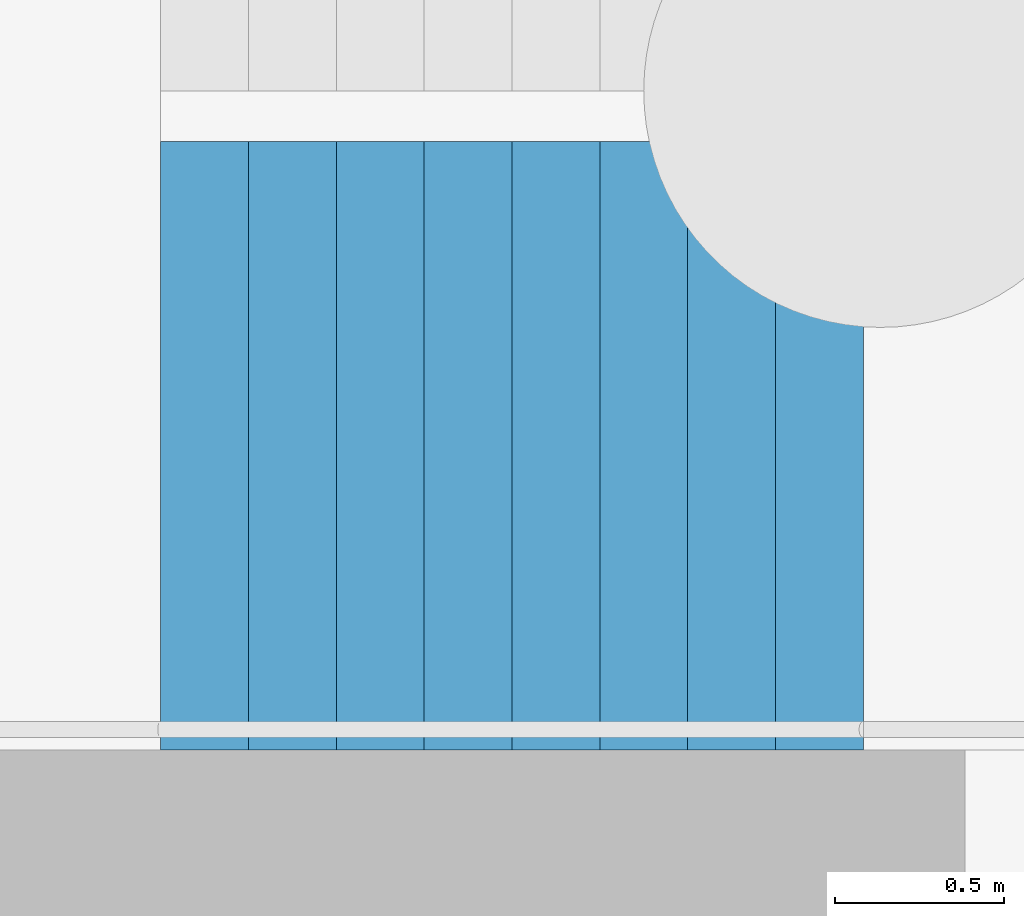
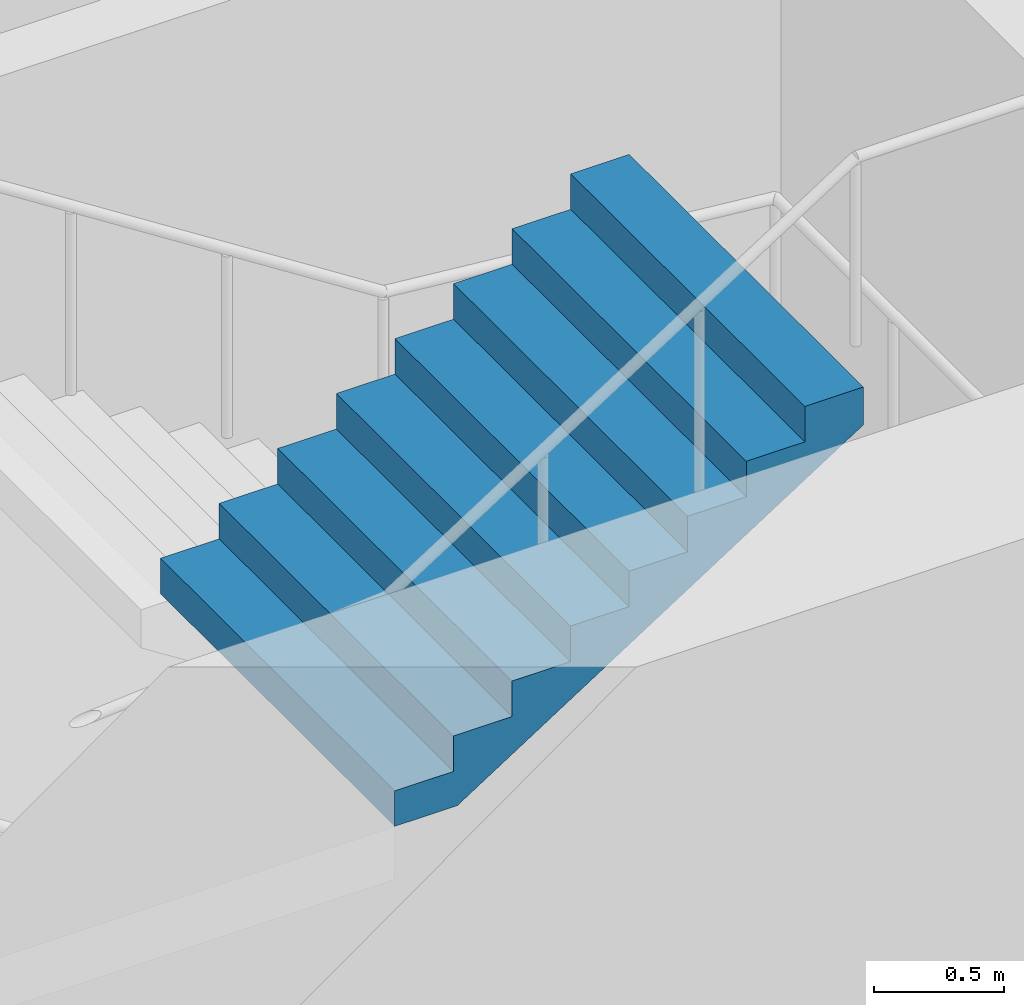
# One storey, part 54 of 113: 1 stair flight, 1 element without a shape of its own.
"""IFC4 building model written with IfcOpenShell, lengths in metres."""

from ifc_helpers import new_model, si_unit, direction, frame, origin, place, context, subcontext, project, spatial, triangles, material, type_object, element, aggregate, save


model = new_model("IFC4")

# Units and contexts
model_context = context("Model", 3, precision=1e-05, world=origin(), true_north=direction((0.0, 1.0)))
body_context = subcontext(model_context, "Body", "Model", "MODEL_VIEW")
ifc_project = project(units=[si_unit("LENGTHUNIT", "METRE"), si_unit("AREAUNIT", "SQUARE_METRE"), si_unit("VOLUMEUNIT", "CUBIC_METRE"), si_unit("PLANEANGLEUNIT", "RADIAN"), si_unit("MASSUNIT", "GRAM", prefix="KILO")], contexts=[model_context])

# Site, building, storey
site_placement = place(None, origin())
site = spatial("IfcSite", under=ifc_project, at=site_placement, CompositionType="ELEMENT")
building_placement = place(site_placement, origin())
building = spatial("IfcBuilding", under=site, at=building_placement, Name="Hakoniwa Tower and Hamabe Station Hall", CompositionType="ELEMENT")
storey_placement = place(building_placement, origin())
storey = spatial("IfcBuildingStorey", under=building, at=storey_placement, Name="L01", CompositionType="ELEMENT", Elevation=0.0)

# Stair, stair flight
ifc_material_1 = material(Name="Concrete C40", Category="concrete")
stair_type = type_object("IfcStairType", Name="ESCAPE STAIR 1800", PredefinedType="HALF_TURN_STAIR", material=ifc_material_1)
stair_placement = place(storey_placement, origin())
stair = element("IfcStair", 1, at=stair_placement, inside=storey, type_object=stair_type, Name="Escape stair ST-2 L01", PredefinedType="HALF_TURN_STAIR")
ifc_material_2 = material(Name="Concrete C40", Category="concrete")
stair_flight_type = type_object("IfcStairFlightType", Name="STAIR FLIGHT 1800", PredefinedType="STRAIGHT", material=ifc_material_2)
stair_flight_placement = place(storey_placement, frame((-25.47998046875, -6.60009765625, 7.5), z_axis=(0.0, 0.0, 1.0), x_axis=(1.0, 0.0, 0.0)))
stair_flight = element("IfcStairFlight", 2, at=stair_flight_placement, type_object=stair_flight_type, Name="ST-2 flight 6", NumberOfRisers=9, NumberOfTreads=8, PredefinedType="STRAIGHT", RiserHeight=0.166666667, TreadLength=0.26, context=body_context, shape_type="Tessellation", body=[
    triangles([(0.0, 0.89990234375, 0.0), (0.260009765625, 0.89990234375, 0.0), (0.27783203125, 0.89990234375, 0.0), (0.52001953125, 0.89990234375, 0.1552734375), (0.780029296875, 0.89990234375, 0.322021484375), (1.0400390625, 0.89990234375, 0.488525390625), (1.300048828125, 0.89990234375, 0.6552734375), (1.56005859375, 0.89990234375, 0.822021484375), (1.820068359375, 0.89990234375, 0.988525390625), (2.080078125, 0.89990234375, 1.1552734375), (2.080078125, 0.89990234375, 1.333251953125), (1.820068359375, 0.89990234375, 1.333251953125), (1.820068359375, 0.89990234375, 1.166748046875), (1.56005859375, 0.89990234375, 1.166748046875), (1.56005859375, 0.89990234375, 1.0), (1.300048828125, 0.89990234375, 1.0), (1.300048828125, 0.89990234375, 0.833251953125), (1.0400390625, 0.89990234375, 0.833251953125), (1.0400390625, 0.89990234375, 0.666748046875), (0.780029296875, 0.89990234375, 0.666748046875), (0.780029296875, 0.89990234375, 0.5), (0.52001953125, 0.89990234375, 0.5), (0.52001953125, 0.89990234375, 0.333251953125), (0.27783203125, 0.89990234375, 0.333251953125), (0.260009765625, 0.89990234375, 0.333251953125), (0.260009765625, 0.89990234375, 0.166748046875), (0.0, 0.89990234375, 0.166748046875), (0.0, 0.06005859375, 0.0), (0.260009765625, 0.06005859375, 0.0), (0.27783203125, 0.06005859375, 0.0), (0.52001953125, 0.06005859375, 0.1552734375), (0.780029296875, 0.06005859375, 0.322021484375), (1.0400390625, 0.06005859375, 0.488525390625), (1.300048828125, 0.06005859375, 0.6552734375), (1.56005859375, 0.06005859375, 0.822021484375), (1.820068359375, 0.06005859375, 0.988525390625), (2.080078125, 0.06005859375, 1.1552734375), (2.080078125, 0.06005859375, 1.333251953125), (1.820068359375, 0.06005859375, 1.333251953125), (1.820068359375, 0.06005859375, 1.166748046875), (1.56005859375, 0.06005859375, 1.166748046875), (1.56005859375, 0.06005859375, 1.0), (1.300048828125, 0.06005859375, 1.0), (1.300048828125, 0.06005859375, 0.833251953125), (1.0400390625, 0.06005859375, 0.833251953125), (1.0400390625, 0.06005859375, 0.666748046875), (0.780029296875, 0.06005859375, 0.666748046875), (0.780029296875, 0.06005859375, 0.5), (0.52001953125, 0.06005859375, 0.5), (0.52001953125, 0.06005859375, 0.333251953125), (0.27783203125, 0.06005859375, 0.333251953125), (0.260009765625, 0.06005859375, 0.333251953125), (0.260009765625, 0.06005859375, 0.166748046875), (0.0, 0.06005859375, 0.166748046875), (0.0, 0.04296875, 0.0), (0.260009765625, 0.04296875, 0.0), (0.27783203125, 0.04296875, 0.0), (0.52001953125, 0.04296875, 0.1552734375), (0.780029296875, 0.04296875, 0.322021484375), (1.0400390625, 0.04296875, 0.488525390625), (1.300048828125, 0.04296875, 0.6552734375), (1.56005859375, 0.04296875, 0.822021484375), (1.820068359375, 0.04296875, 0.988525390625), (2.080078125, 0.04296875, 1.1552734375), (2.080078125, 0.04296875, 1.333251953125), (1.820068359375, 0.04296875, 1.333251953125), (1.820068359375, 0.04296875, 1.166748046875), (1.56005859375, 0.04296875, 1.166748046875), (1.56005859375, 0.04296875, 1.0), (1.300048828125, 0.04296875, 1.0), (1.300048828125, 0.04296875, 0.833251953125), (1.0400390625, 0.04296875, 0.833251953125), (1.0400390625, 0.04296875, 0.666748046875), (0.780029296875, 0.04296875, 0.666748046875), (0.780029296875, 0.04296875, 0.5), (0.52001953125, 0.04296875, 0.5), (0.52001953125, 0.04296875, 0.333251953125), (0.27783203125, 0.04296875, 0.333251953125), (0.260009765625, 0.04296875, 0.333251953125), (0.260009765625, 0.04296875, 0.166748046875), (0.0, 0.04296875, 0.166748046875), (0.0, 0.025634765625, 0.0), (0.260009765625, 0.025634765625, 0.0), (0.27783203125, 0.025634765625, 0.0), (0.52001953125, 0.025634765625, 0.1552734375), (0.780029296875, 0.025634765625, 0.322021484375), (1.0400390625, 0.025634765625, 0.488525390625), (1.300048828125, 0.025634765625, 0.6552734375), (1.56005859375, 0.025634765625, 0.822021484375), (1.820068359375, 0.025634765625, 0.988525390625), (2.080078125, 0.025634765625, 1.1552734375), (2.080078125, 0.025634765625, 1.333251953125), (1.820068359375, 0.025634765625, 1.333251953125), (1.820068359375, 0.025634765625, 1.166748046875), (1.56005859375, 0.025634765625, 1.166748046875), (1.56005859375, 0.025634765625, 1.0), (1.300048828125, 0.025634765625, 1.0), (1.300048828125, 0.025634765625, 0.833251953125), (1.0400390625, 0.025634765625, 0.833251953125), (1.0400390625, 0.025634765625, 0.666748046875), (0.780029296875, 0.025634765625, 0.666748046875), (0.780029296875, 0.025634765625, 0.5), (0.52001953125, 0.025634765625, 0.5), (0.52001953125, 0.025634765625, 0.333251953125), (0.27783203125, 0.025634765625, 0.333251953125), (0.260009765625, 0.025634765625, 0.333251953125), (0.260009765625, 0.025634765625, 0.166748046875), (0.0, 0.025634765625, 0.166748046875), (0.0, 0.008544921875, 0.0), (0.260009765625, 0.008544921875, 0.0), (0.27783203125, 0.008544921875, 0.0), (0.52001953125, 0.008544921875, 0.1552734375), (0.780029296875, 0.008544921875, 0.322021484375), (1.0400390625, 0.008544921875, 0.488525390625), (1.300048828125, 0.008544921875, 0.6552734375), (1.56005859375, 0.008544921875, 0.822021484375), (1.820068359375, 0.008544921875, 0.988525390625), (2.080078125, 0.008544921875, 1.1552734375), (2.080078125, 0.008544921875, 1.333251953125), (1.820068359375, 0.008544921875, 1.333251953125), (1.820068359375, 0.008544921875, 1.166748046875), (1.56005859375, 0.008544921875, 1.166748046875), (1.56005859375, 0.008544921875, 1.0), (1.300048828125, 0.008544921875, 1.0), (1.300048828125, 0.008544921875, 0.833251953125), (1.0400390625, 0.008544921875, 0.833251953125), (1.0400390625, 0.008544921875, 0.666748046875), (0.780029296875, 0.008544921875, 0.666748046875), (0.780029296875, 0.008544921875, 0.5), (0.52001953125, 0.008544921875, 0.5), (0.52001953125, 0.008544921875, 0.333251953125), (0.27783203125, 0.008544921875, 0.333251953125), (0.260009765625, 0.008544921875, 0.333251953125), (0.260009765625, 0.008544921875, 0.166748046875), (0.0, 0.008544921875, 0.166748046875), (0.0, -0.008544921875, 0.0), (0.260009765625, -0.008544921875, 0.0), (0.27783203125, -0.008544921875, 0.0), (0.52001953125, -0.008544921875, 0.1552734375), (0.780029296875, -0.008544921875, 0.322021484375), (1.0400390625, -0.008544921875, 0.488525390625), (1.300048828125, -0.008544921875, 0.6552734375), (1.56005859375, -0.008544921875, 0.822021484375), (1.820068359375, -0.008544921875, 0.988525390625), (2.080078125, -0.008544921875, 1.1552734375), (2.080078125, -0.008544921875, 1.333251953125), (1.820068359375, -0.008544921875, 1.333251953125), (1.820068359375, -0.008544921875, 1.166748046875), (1.56005859375, -0.008544921875, 1.166748046875), (1.56005859375, -0.008544921875, 1.0), (1.300048828125, -0.008544921875, 1.0), (1.300048828125, -0.008544921875, 0.833251953125), (1.0400390625, -0.008544921875, 0.833251953125), (1.0400390625, -0.008544921875, 0.666748046875), (0.780029296875, -0.008544921875, 0.666748046875), (0.780029296875, -0.008544921875, 0.5), (0.52001953125, -0.008544921875, 0.5), (0.52001953125, -0.008544921875, 0.333251953125), (0.27783203125, -0.008544921875, 0.333251953125), (0.260009765625, -0.008544921875, 0.333251953125), (0.260009765625, -0.008544921875, 0.166748046875), (0.0, -0.008544921875, 0.166748046875), (0.0, -0.025634765625, 0.0), (0.260009765625, -0.025634765625, 0.0), (0.27783203125, -0.025634765625, 0.0), (0.52001953125, -0.025634765625, 0.1552734375), (0.780029296875, -0.025634765625, 0.322021484375), (1.0400390625, -0.025634765625, 0.488525390625), (1.300048828125, -0.025634765625, 0.6552734375), (1.56005859375, -0.025634765625, 0.822021484375), (1.820068359375, -0.025634765625, 0.988525390625), (2.080078125, -0.025634765625, 1.1552734375), (2.080078125, -0.025634765625, 1.333251953125), (1.820068359375, -0.025634765625, 1.333251953125), (1.820068359375, -0.025634765625, 1.166748046875), (1.56005859375, -0.025634765625, 1.166748046875), (1.56005859375, -0.025634765625, 1.0), (1.300048828125, -0.025634765625, 1.0), (1.300048828125, -0.025634765625, 0.833251953125), (1.0400390625, -0.025634765625, 0.833251953125), (1.0400390625, -0.025634765625, 0.666748046875), (0.780029296875, -0.025634765625, 0.666748046875), (0.780029296875, -0.025634765625, 0.5), (0.52001953125, -0.025634765625, 0.5), (0.52001953125, -0.025634765625, 0.333251953125), (0.27783203125, -0.025634765625, 0.333251953125), (0.260009765625, -0.025634765625, 0.333251953125), (0.260009765625, -0.025634765625, 0.166748046875), (0.0, -0.025634765625, 0.166748046875), (0.0, -0.04296875, 0.0), (0.260009765625, -0.04296875, 0.0), (0.27783203125, -0.04296875, 0.0), (0.52001953125, -0.04296875, 0.1552734375), (0.780029296875, -0.04296875, 0.322021484375), (1.0400390625, -0.04296875, 0.488525390625), (1.300048828125, -0.04296875, 0.6552734375), (1.56005859375, -0.04296875, 0.822021484375), (1.820068359375, -0.04296875, 0.988525390625), (2.080078125, -0.04296875, 1.1552734375), (2.080078125, -0.04296875, 1.333251953125), (1.820068359375, -0.04296875, 1.333251953125), (1.820068359375, -0.04296875, 1.166748046875), (1.56005859375, -0.04296875, 1.166748046875), (1.56005859375, -0.04296875, 1.0), (1.300048828125, -0.04296875, 1.0), (1.300048828125, -0.04296875, 0.833251953125), (1.0400390625, -0.04296875, 0.833251953125), (1.0400390625, -0.04296875, 0.666748046875), (0.780029296875, -0.04296875, 0.666748046875), (0.780029296875, -0.04296875, 0.5), (0.52001953125, -0.04296875, 0.5), (0.52001953125, -0.04296875, 0.333251953125), (0.27783203125, -0.04296875, 0.333251953125), (0.260009765625, -0.04296875, 0.333251953125), (0.260009765625, -0.04296875, 0.166748046875), (0.0, -0.04296875, 0.166748046875), (0.0, -0.06005859375, 0.0), (0.260009765625, -0.06005859375, 0.0), (0.27783203125, -0.06005859375, 0.0), (0.52001953125, -0.06005859375, 0.1552734375), (0.780029296875, -0.06005859375, 0.322021484375), (1.0400390625, -0.06005859375, 0.488525390625), (1.300048828125, -0.06005859375, 0.6552734375), (1.56005859375, -0.06005859375, 0.822021484375), (1.820068359375, -0.06005859375, 0.988525390625), (2.080078125, -0.06005859375, 1.1552734375), (2.080078125, -0.06005859375, 1.333251953125), (1.820068359375, -0.06005859375, 1.333251953125), (1.820068359375, -0.06005859375, 1.166748046875), (1.56005859375, -0.06005859375, 1.166748046875), (1.56005859375, -0.06005859375, 1.0), (1.300048828125, -0.06005859375, 1.0), (1.300048828125, -0.06005859375, 0.833251953125), (1.0400390625, -0.06005859375, 0.833251953125), (1.0400390625, -0.06005859375, 0.666748046875), (0.780029296875, -0.06005859375, 0.666748046875), (0.780029296875, -0.06005859375, 0.5), (0.52001953125, -0.06005859375, 0.5), (0.52001953125, -0.06005859375, 0.333251953125), (0.27783203125, -0.06005859375, 0.333251953125), (0.260009765625, -0.06005859375, 0.333251953125), (0.260009765625, -0.06005859375, 0.166748046875), (0.0, -0.06005859375, 0.166748046875), (0.0, -0.89990234375, 0.0), (0.260009765625, -0.89990234375, 0.0), (0.27783203125, -0.89990234375, 0.0), (0.52001953125, -0.89990234375, 0.1552734375), (0.780029296875, -0.89990234375, 0.322021484375), (1.0400390625, -0.89990234375, 0.488525390625), (1.300048828125, -0.89990234375, 0.6552734375), (1.56005859375, -0.89990234375, 0.822021484375), (1.820068359375, -0.89990234375, 0.988525390625), (2.080078125, -0.89990234375, 1.1552734375), (2.080078125, -0.89990234375, 1.333251953125), (1.820068359375, -0.89990234375, 1.333251953125), (1.820068359375, -0.89990234375, 1.166748046875), (1.56005859375, -0.89990234375, 1.166748046875), (1.56005859375, -0.89990234375, 1.0), (1.300048828125, -0.89990234375, 1.0), (1.300048828125, -0.89990234375, 0.833251953125), (1.0400390625, -0.89990234375, 0.833251953125), (1.0400390625, -0.89990234375, 0.666748046875), (0.780029296875, -0.89990234375, 0.666748046875), (0.780029296875, -0.89990234375, 0.5), (0.52001953125, -0.89990234375, 0.5), (0.52001953125, -0.89990234375, 0.333251953125), (0.27783203125, -0.89990234375, 0.333251953125), (0.260009765625, -0.89990234375, 0.333251953125), (0.260009765625, -0.89990234375, 0.166748046875), (0.0, -0.89990234375, 0.166748046875)], [[2, 27, 26], [245, 269, 270], [2, 1, 27], [245, 270, 244], [3, 25, 24], [246, 267, 268], [3, 26, 25], [246, 268, 269], [3, 2, 26], [246, 269, 245], [4, 24, 23], [247, 266, 267], [4, 3, 24], [247, 267, 246], [5, 22, 21], [248, 264, 265], [5, 23, 22], [248, 265, 266], [5, 4, 23], [248, 266, 247], [6, 20, 19], [249, 262, 263], [6, 21, 20], [249, 263, 264], [6, 5, 21], [249, 264, 248], [7, 18, 17], [250, 260, 261], [7, 19, 18], [250, 261, 262], [7, 6, 19], [250, 262, 249], [8, 16, 15], [251, 258, 259], [8, 17, 16], [251, 259, 260], [8, 7, 17], [251, 260, 250], [9, 14, 13], [252, 256, 257], [9, 15, 14], [252, 257, 258], [9, 8, 15], [252, 258, 251], [10, 12, 11], [253, 254, 255], [10, 13, 12], [253, 255, 256], [10, 9, 13], [253, 256, 252], [1, 2, 29], [1, 29, 28], [28, 29, 56], [28, 56, 55], [55, 56, 83], [55, 83, 82], [82, 83, 110], [82, 110, 109], [109, 110, 137], [109, 137, 136], [136, 137, 164], [136, 164, 163], [163, 164, 191], [163, 191, 190], [190, 191, 218], [190, 218, 217], [217, 218, 245], [217, 245, 244], [2, 3, 30], [2, 30, 29], [29, 30, 57], [29, 57, 56], [56, 57, 84], [56, 84, 83], [83, 84, 111], [83, 111, 110], [110, 111, 138], [110, 138, 137], [137, 138, 165], [137, 165, 164], [164, 165, 192], [164, 192, 191], [191, 192, 219], [191, 219, 218], [218, 219, 246], [218, 246, 245], [3, 4, 31], [3, 31, 30], [30, 31, 58], [30, 58, 57], [57, 58, 85], [57, 85, 84], [84, 85, 112], [84, 112, 111], [111, 112, 139], [111, 139, 138], [138, 139, 166], [138, 166, 165], [165, 166, 193], [165, 193, 192], [192, 193, 220], [192, 220, 219], [219, 220, 247], [219, 247, 246], [4, 5, 32], [4, 32, 31], [31, 32, 59], [31, 59, 58], [58, 59, 86], [58, 86, 85], [85, 86, 113], [85, 113, 112], [112, 113, 140], [112, 140, 139], [139, 140, 167], [139, 167, 166], [166, 167, 194], [166, 194, 193], [193, 194, 221], [193, 221, 220], [220, 221, 248], [220, 248, 247], [5, 6, 33], [5, 33, 32], [32, 33, 60], [32, 60, 59], [59, 60, 87], [59, 87, 86], [86, 87, 114], [86, 114, 113], [113, 114, 141], [113, 141, 140], [140, 141, 168], [140, 168, 167], [167, 168, 195], [167, 195, 194], [194, 195, 222], [194, 222, 221], [221, 222, 249], [221, 249, 248], [6, 7, 34], [6, 34, 33], [33, 34, 61], [33, 61, 60], [60, 61, 88], [60, 88, 87], [87, 88, 115], [87, 115, 114], [114, 115, 142], [114, 142, 141], [141, 142, 169], [141, 169, 168], [168, 169, 196], [168, 196, 195], [195, 196, 223], [195, 223, 222], [222, 223, 250], [222, 250, 249], [7, 8, 35], [7, 35, 34], [34, 35, 62], [34, 62, 61], [61, 62, 89], [61, 89, 88], [88, 89, 116], [88, 116, 115], [115, 116, 143], [115, 143, 142], [142, 143, 170], [142, 170, 169], [169, 170, 197], [169, 197, 196], [196, 197, 224], [196, 224, 223], [223, 224, 251], [223, 251, 250], [8, 9, 36], [8, 36, 35], [35, 36, 63], [35, 63, 62], [62, 63, 90], [62, 90, 89], [89, 90, 117], [89, 117, 116], [116, 117, 144], [116, 144, 143], [143, 144, 171], [143, 171, 170], [170, 171, 198], [170, 198, 197], [197, 198, 225], [197, 225, 224], [224, 225, 252], [224, 252, 251], [9, 10, 37], [9, 37, 36], [36, 37, 64], [36, 64, 63], [63, 64, 91], [63, 91, 90], [90, 91, 118], [90, 118, 117], [117, 118, 145], [117, 145, 144], [144, 145, 172], [144, 172, 171], [171, 172, 199], [171, 199, 198], [198, 199, 226], [198, 226, 225], [225, 226, 253], [225, 253, 252], [10, 11, 38], [10, 38, 37], [37, 38, 65], [37, 65, 64], [64, 65, 92], [64, 92, 91], [91, 92, 119], [91, 119, 118], [118, 119, 146], [118, 146, 145], [145, 146, 173], [145, 173, 172], [172, 173, 200], [172, 200, 199], [199, 200, 227], [199, 227, 226], [226, 227, 254], [226, 254, 253], [11, 12, 39], [11, 39, 38], [38, 39, 66], [38, 66, 65], [65, 66, 93], [65, 93, 92], [92, 93, 120], [92, 120, 119], [119, 120, 147], [119, 147, 146], [146, 147, 174], [146, 174, 173], [173, 174, 201], [173, 201, 200], [200, 201, 228], [200, 228, 227], [227, 228, 255], [227, 255, 254], [12, 13, 40], [12, 40, 39], [39, 40, 67], [39, 67, 66], [66, 67, 94], [66, 94, 93], [93, 94, 121], [93, 121, 120], [120, 121, 148], [120, 148, 147], [147, 148, 175], [147, 175, 174], [174, 175, 202], [174, 202, 201], [201, 202, 229], [201, 229, 228], [228, 229, 256], [228, 256, 255], [13, 14, 41], [13, 41, 40], [40, 41, 68], [40, 68, 67], [67, 68, 95], [67, 95, 94], [94, 95, 122], [94, 122, 121], [121, 122, 149], [121, 149, 148], [148, 149, 176], [148, 176, 175], [175, 176, 203], [175, 203, 202], [202, 203, 230], [202, 230, 229], [229, 230, 257], [229, 257, 256], [14, 15, 42], [14, 42, 41], [41, 42, 69], [41, 69, 68], [68, 69, 96], [68, 96, 95], [95, 96, 123], [95, 123, 122], [122, 123, 150], [122, 150, 149], [149, 150, 177], [149, 177, 176], [176, 177, 204], [176, 204, 203], [203, 204, 231], [203, 231, 230], [230, 231, 258], [230, 258, 257], [15, 16, 43], [15, 43, 42], [42, 43, 70], [42, 70, 69], [69, 70, 97], [69, 97, 96], [96, 97, 124], [96, 124, 123], [123, 124, 151], [123, 151, 150], [150, 151, 178], [150, 178, 177], [177, 178, 205], [177, 205, 204], [204, 205, 232], [204, 232, 231], [231, 232, 259], [231, 259, 258], [16, 17, 44], [16, 44, 43], [43, 44, 71], [43, 71, 70], [70, 71, 98], [70, 98, 97], [97, 98, 125], [97, 125, 124], [124, 125, 152], [124, 152, 151], [151, 152, 179], [151, 179, 178], [178, 179, 206], [178, 206, 205], [205, 206, 233], [205, 233, 232], [232, 233, 260], [232, 260, 259], [17, 18, 45], [17, 45, 44], [44, 45, 72], [44, 72, 71], [71, 72, 99], [71, 99, 98], [98, 99, 126], [98, 126, 125], [125, 126, 153], [125, 153, 152], [152, 153, 180], [152, 180, 179], [179, 180, 207], [179, 207, 206], [206, 207, 234], [206, 234, 233], [233, 234, 261], [233, 261, 260], [18, 19, 46], [18, 46, 45], [45, 46, 73], [45, 73, 72], [72, 73, 100], [72, 100, 99], [99, 100, 127], [99, 127, 126], [126, 127, 154], [126, 154, 153], [153, 154, 181], [153, 181, 180], [180, 181, 208], [180, 208, 207], [207, 208, 235], [207, 235, 234], [234, 235, 262], [234, 262, 261], [19, 20, 47], [19, 47, 46], [46, 47, 74], [46, 74, 73], [73, 74, 101], [73, 101, 100], [100, 101, 128], [100, 128, 127], [127, 128, 155], [127, 155, 154], [154, 155, 182], [154, 182, 181], [181, 182, 209], [181, 209, 208], [208, 209, 236], [208, 236, 235], [235, 236, 263], [235, 263, 262], [20, 21, 48], [20, 48, 47], [47, 48, 75], [47, 75, 74], [74, 75, 102], [74, 102, 101], [101, 102, 129], [101, 129, 128], [128, 129, 156], [128, 156, 155], [155, 156, 183], [155, 183, 182], [182, 183, 210], [182, 210, 209], [209, 210, 237], [209, 237, 236], [236, 237, 264], [236, 264, 263], [21, 22, 49], [21, 49, 48], [48, 49, 76], [48, 76, 75], [75, 76, 103], [75, 103, 102], [102, 103, 130], [102, 130, 129], [129, 130, 157], [129, 157, 156], [156, 157, 184], [156, 184, 183], [183, 184, 211], [183, 211, 210], [210, 211, 238], [210, 238, 237], [237, 238, 265], [237, 265, 264], [22, 23, 50], [22, 50, 49], [49, 50, 77], [49, 77, 76], [76, 77, 104], [76, 104, 103], [103, 104, 131], [103, 131, 130], [130, 131, 158], [130, 158, 157], [157, 158, 185], [157, 185, 184], [184, 185, 212], [184, 212, 211], [211, 212, 239], [211, 239, 238], [238, 239, 266], [238, 266, 265], [23, 24, 51], [23, 51, 50], [50, 51, 78], [50, 78, 77], [77, 78, 105], [77, 105, 104], [104, 105, 132], [104, 132, 131], [131, 132, 159], [131, 159, 158], [158, 159, 186], [158, 186, 185], [185, 186, 213], [185, 213, 212], [212, 213, 240], [212, 240, 239], [239, 240, 267], [239, 267, 266], [24, 25, 52], [24, 52, 51], [51, 52, 79], [51, 79, 78], [78, 79, 106], [78, 106, 105], [105, 106, 133], [105, 133, 132], [132, 133, 160], [132, 160, 159], [159, 160, 187], [159, 187, 186], [186, 187, 214], [186, 214, 213], [213, 214, 241], [213, 241, 240], [240, 241, 268], [240, 268, 267], [25, 26, 53], [25, 53, 52], [52, 53, 80], [52, 80, 79], [79, 80, 107], [79, 107, 106], [106, 107, 134], [106, 134, 133], [133, 134, 161], [133, 161, 160], [160, 161, 188], [160, 188, 187], [187, 188, 215], [187, 215, 214], [214, 215, 242], [214, 242, 241], [241, 242, 269], [241, 269, 268], [26, 27, 54], [26, 54, 53], [53, 54, 81], [53, 81, 80], [80, 81, 108], [80, 108, 107], [107, 108, 135], [107, 135, 134], [134, 135, 162], [134, 162, 161], [161, 162, 189], [161, 189, 188], [188, 189, 216], [188, 216, 215], [215, 216, 243], [215, 243, 242], [242, 243, 270], [242, 270, 269], [27, 1, 28], [27, 28, 54], [54, 28, 55], [54, 55, 81], [81, 55, 82], [81, 82, 108], [108, 82, 109], [108, 109, 135], [135, 109, 136], [135, 136, 162], [162, 136, 163], [162, 163, 189], [189, 163, 190], [189, 190, 216], [216, 190, 217], [216, 217, 243], [243, 217, 244], [243, 244, 270]], closed=True),
])
aggregate(stair, [stair_flight])

save(model, "model.ifc")
